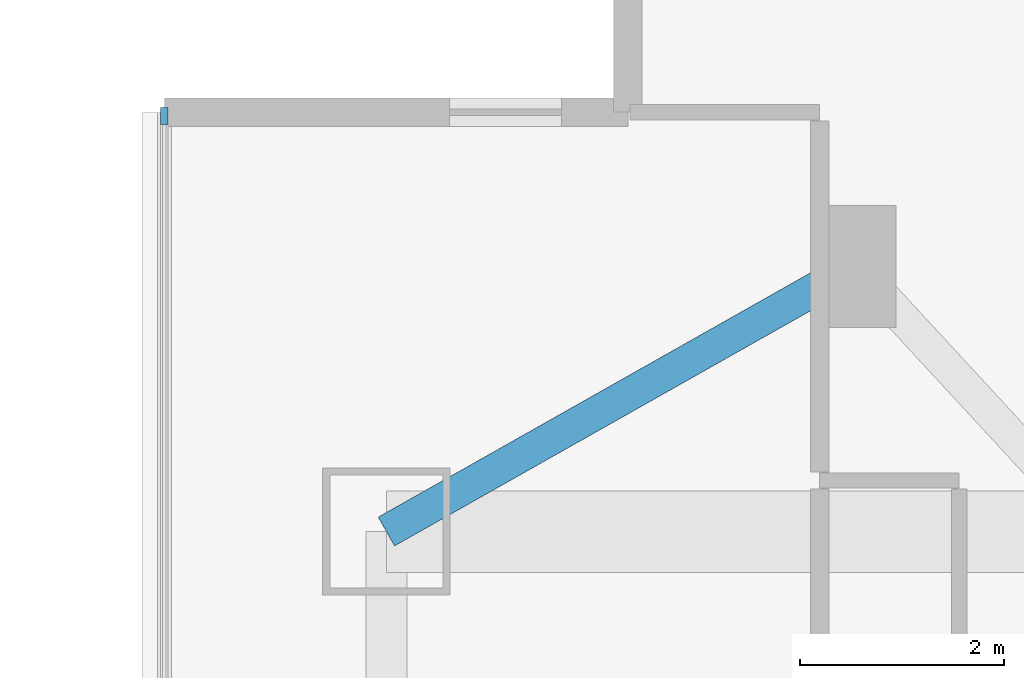
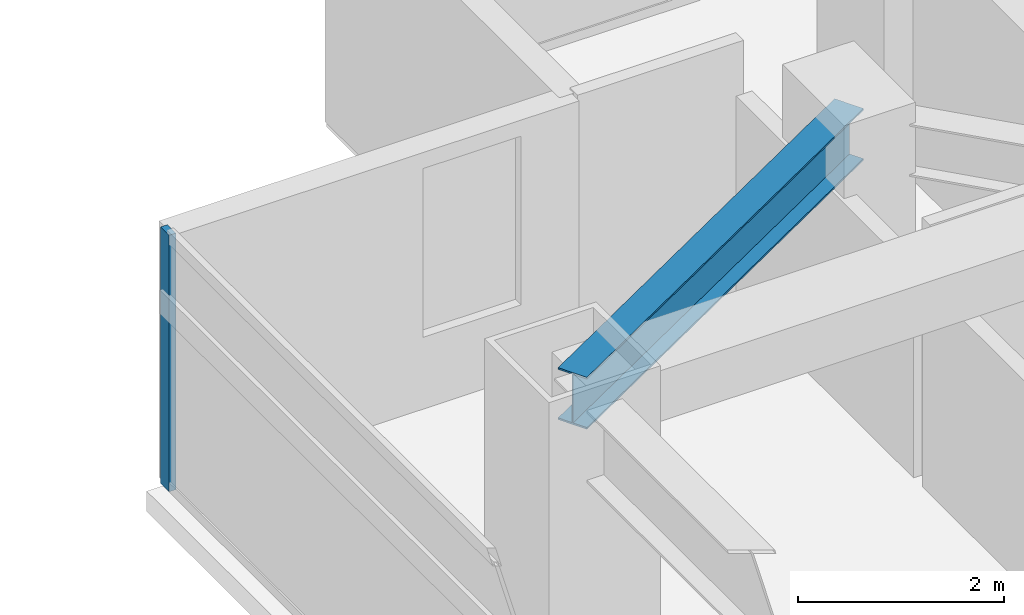
# One storey, part 6 of 27: 1 beam, 1 member, 1 element without a shape of its own.
"""IFC4 building model written with IfcOpenShell, lengths in metres."""

from ifc_helpers import new_model, si_unit, direction, frame, origin, origin_2d, place, context, subcontext, project, spatial, rectangle, i_section, extrude, material, material_profile, profile_set, type_object, element, aggregate, save


model = new_model("IFC4")

# Units and contexts
model_context = context("Model", 3, precision=1e-05, world=origin(), true_north=direction((0.0, 1.0)))
body_context = subcontext(model_context, "Body", "Model", "MODEL_VIEW")
ifc_project = project(units=[si_unit("LENGTHUNIT", "METRE"), si_unit("AREAUNIT", "SQUARE_METRE"), si_unit("VOLUMEUNIT", "CUBIC_METRE"), si_unit("PLANEANGLEUNIT", "RADIAN"), si_unit("MASSUNIT", "GRAM", prefix="KILO")], contexts=[model_context])

# Site, building, storey
site_placement = place(None, origin())
site = spatial("IfcSite", under=ifc_project, at=site_placement, CompositionType="ELEMENT")
building_placement = place(site_placement, origin())
building = spatial("IfcBuilding", under=site, at=building_placement, Name="Mirazonda Arch Towers", CompositionType="ELEMENT")
storey_placement = place(building_placement, frame((0.0, 0.0, 55.39990234375)))
storey = spatial("IfcBuildingStorey", under=building, at=storey_placement, Name="L15", CompositionType="ELEMENT", Elevation=55.39990234375)

# Beam
ifc_material_1 = material(Name="Steel ASTM A992 Grade 50", Category="steel")
ifc_material_profile_1 = material_profile(ifc_material_1, i_section(OverallWidth=0.324951171875, OverallDepth=0.615966796875, WebThickness=0.013916015625, FlangeThickness=0.021484375, at=origin_2d()), Name="W24X117")
ifc_profile_set_1 = profile_set([ifc_material_profile_1], Name="Steel ASTM A992 Grade 50")
beam_type = type_object("IfcBeamType", Name="BM-INT-W24X117", PredefinedType="BEAM", material=ifc_profile_set_1)
beam_placement = place(storey_placement, frame((65.60009765625, 37.800048828125, 2.752197265625), z_axis=(-0.870559396632, -0.492063346467, 0.0), x_axis=(0.492063346467, -0.870559396632, 0.0)))
element("IfcBeam", 1, at=beam_placement, inside=storey, type_object=beam_type, Name="L15 Floor Beam BM-T2-L15-PL-NW2", PredefinedType="BEAM", context=body_context, shape_type="SweptSolid", body=[
    extrude(i_section(OverallWidth=0.324951171875, OverallDepth=0.615966796875, WebThickness=0.013916015625, FlangeThickness=0.021484375, at=origin_2d()), origin(), (0.0, 0.0, 1.0), 5.2841796875),
])

# Curtain wall, member
ifc_material_2 = material(Name="Anodised Aluminium and Low-E Glass", Category="aluminium")
curtain_wall_type = type_object("IfcCurtainWallType", Name="CW-HTL-UNIT", PredefinedType="NOTDEFINED", material=ifc_material_2)
curtain_wall_placement = place(storey_placement, origin())
curtain_wall = element("IfcCurtainWall", 2, at=curtain_wall_placement, inside=storey, type_object=curtain_wall_type, Name="L15 T2 W Facade CW-L15-T2-W", PredefinedType="NOTDEFINED")
ifc_material_3 = material(Name="Anodised Aluminium Alloy", Category="aluminium")
ifc_material_profile_2 = material_profile(ifc_material_3, rectangle(XDim=0.074951171875, YDim=0.1650390625, at=origin_2d()), Name="ALU-MULL-75x165")
ifc_profile_set_2 = profile_set([ifc_material_profile_2], Name="Anodised Aluminium Alloy")
member_type = type_object("IfcMemberType", Name="MULL-CW-HTL-UNIT", PredefinedType="MULLION", material=ifc_profile_set_2)
member_placement = place(storey_placement, frame((58.822021484375, 39.27587890625, 0.0), z_axis=(0.0, 0.0, 1.0), x_axis=(1.0, 0.0, 0.0)))
member = element("IfcMember", 3, at=member_placement, type_object=member_type, Name="CW-112 mullion 1", PredefinedType="MULLION", context=body_context, shape_type="SweptSolid", body=[
    extrude(rectangle(XDim=0.074951171875, YDim=0.1650390625, at=origin_2d()), origin(), (0.0, 0.0, 1.0), 3.0400390625),
])
aggregate(curtain_wall, [member])

save(model, "model.ifc")
